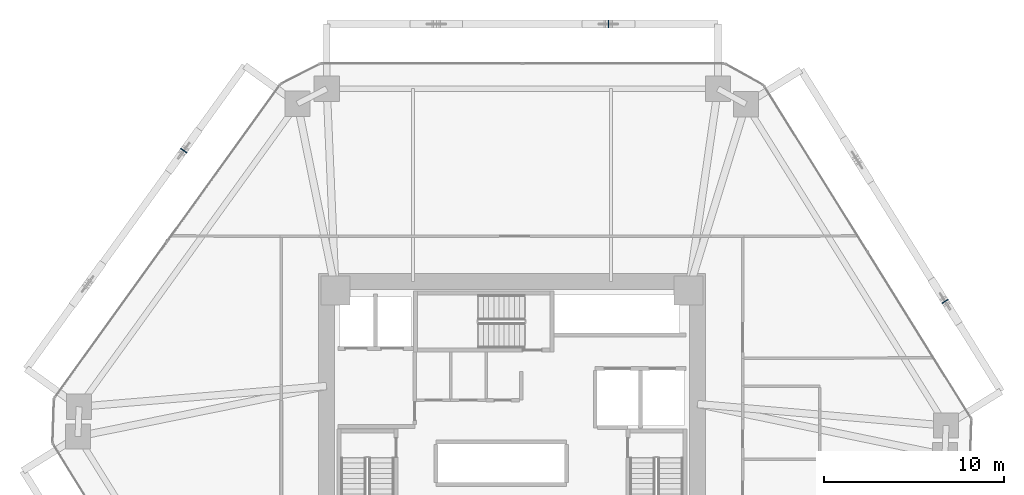
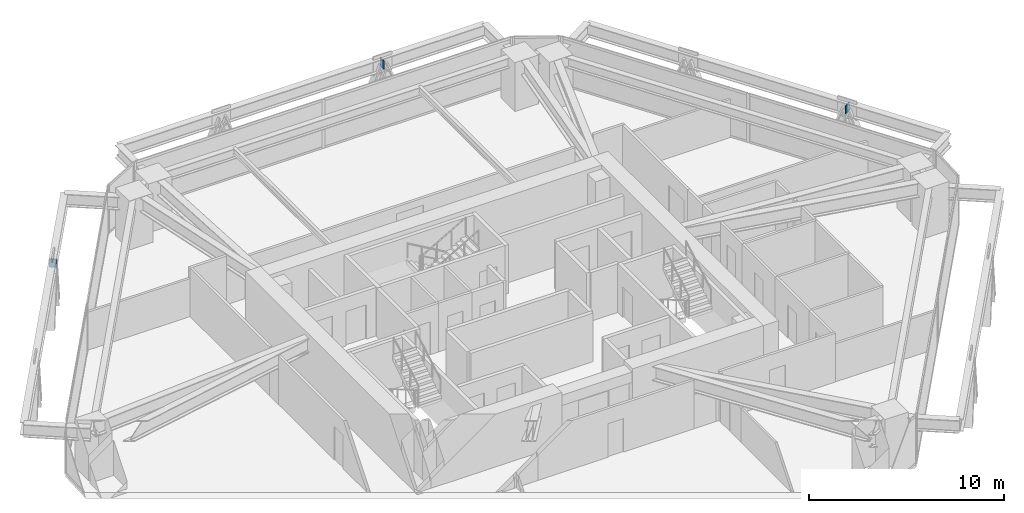
# One storey, part 12 of 16: 3 plates.
"""IFC4 building model written with IfcOpenShell, lengths in metres."""

from ifc_helpers import new_model, si_unit, direction, frame, origin, origin_2d, place, context, subcontext, project, spatial, rectangle, extrude, source, transform, mapped, material, layer, layer_set, type_object, type_shapes, element, save


model = new_model("IFC4")

# Units and contexts
model_context = context("Model", 3, precision=1e-05, world=origin(), true_north=direction((0.0, 1.0)))
body_context = subcontext(model_context, "Body", "Model", "MODEL_VIEW")
ifc_project = project(units=[si_unit("LENGTHUNIT", "METRE"), si_unit("AREAUNIT", "SQUARE_METRE"), si_unit("VOLUMEUNIT", "CUBIC_METRE"), si_unit("PLANEANGLEUNIT", "RADIAN"), si_unit("MASSUNIT", "GRAM", prefix="KILO")], contexts=[model_context])

# Site, building, storey
site_placement = place(None, origin())
site = spatial("IfcSite", under=ifc_project, at=site_placement, CompositionType="ELEMENT")
building_placement = place(site_placement, origin())
building = spatial("IfcBuilding", under=site, at=building_placement, Name="Durnholm Broadcast Tower", CompositionType="ELEMENT")
storey_placement = place(building_placement, frame((0.0, 0.0, 65.39990234375)))
storey = spatial("IfcBuildingStorey", under=building, at=storey_placement, Name="L16", CompositionType="ELEMENT", Elevation=65.39990234375)

# Plates
ifc_material = material(Name="Steel ASTM A572 Grade 50", Category="steel")
ifc_layer = layer(ifc_material, 0.044921875)
ifc_layer_set = layer_set([ifc_layer], Name="Steel ASTM A572 Grade 50")
plate_type = type_object("IfcPlateType", Name="PLT-KN-STIF", PredefinedType="SHEET", material=ifc_layer_set)
shared_shape = source(origin(), body_context, "Body", "SweptSolid", [
    extrude(rectangle(XDim=0.044921875, YDim=0.419921875, at=origin_2d()), origin(), (0.0, 0.0, 1.0), 0.52001953125),
])
type_shapes(plate_type, [shared_shape])
for number, where, z_axis, x_axis, name in (
    (1, (24.036376953125, 7.197509765625, 2.048583984375), (0.0, 0.0, 1.0), (-0.528586500185, 0.848879444811, 0.0), "L16 welded diagrid node stiffener plate F3"),
    (2, (5.351318359375, 22.60009765625, 2.048583984375), (0.0, 0.0, 1.0), (-1.0, 0.0, 0.0), "L16 welded diagrid node stiffener plate F4"),
    (3, (-18.223388671875, 15.56396484375, 2.048583984375), (0.0, 0.0, 1.0), (-0.584816108738, -0.81116590101, 0.0), "L16 welded diagrid node stiffener plate F5"),
):
    element("IfcPlate", number, at=place(storey_placement, frame(where, z_axis=z_axis, x_axis=x_axis)), inside=storey, type_object=plate_type, Name=name, PredefinedType="SHEET", context=body_context, shape_type="MappedRepresentation", body=[
        mapped(shared_shape, transform((0.0, 0.0, 0.0), x_axis=(1.0, 0.0, 0.0), y_axis=(0.0, 1.0, 0.0), z_axis=(0.0, 0.0, 1.0), scale=1.0)),
    ])

save(model, "model.ifc")
